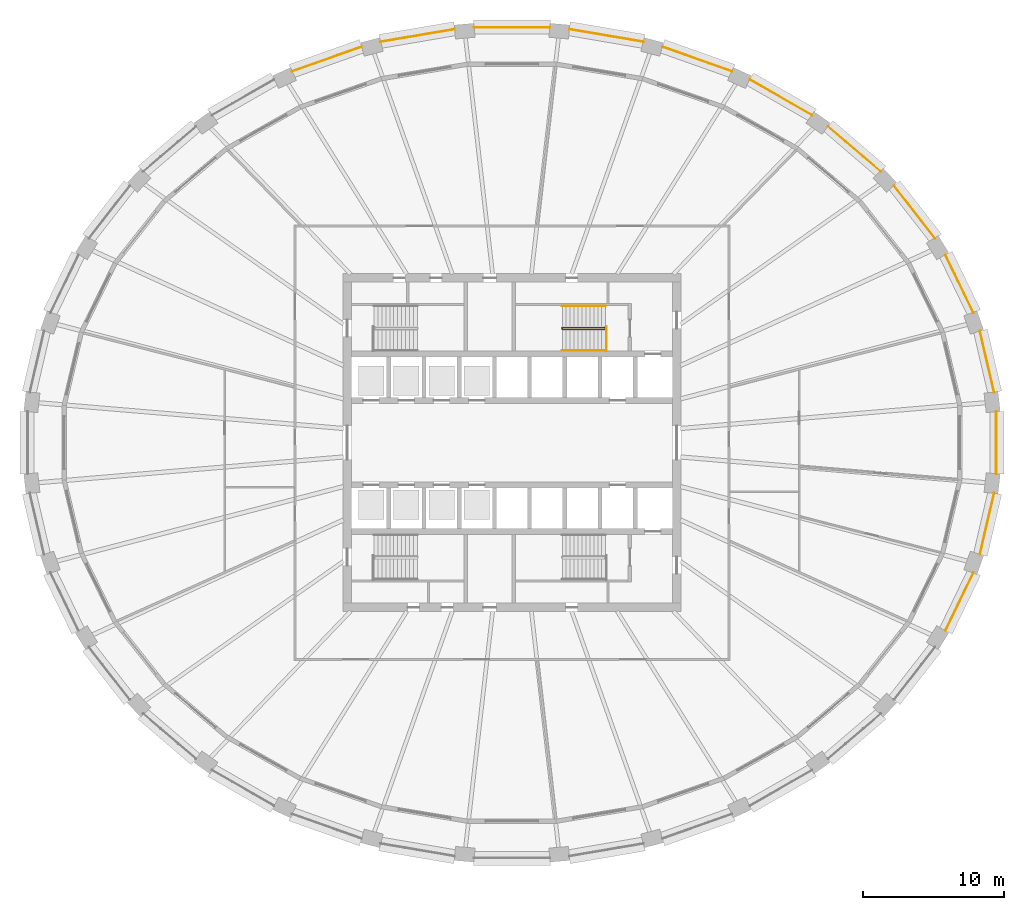
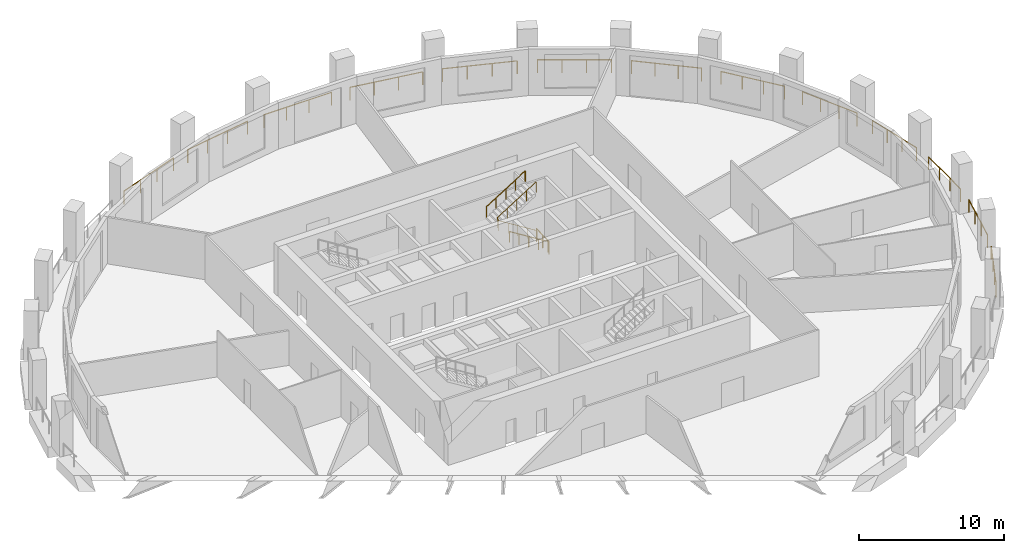
# One storey, part 9 of 10: 17 railings.
"""IFC4 building model written with IfcOpenShell, lengths in metres."""

import ifcopenshell
import ifcopenshell.guid

model = None  # the IFC model being written
_history = None  # IfcOwnerHistory: only IFC2X3 demands one
_inside = {}  # id of a spatial element -> (the spatial element, [elements in it])
_under = {}  # id of a project, library or spatial element -> (it, [spatial elements below it])
_declared = {}  # id of a project -> (the project, [libraries it declares])
_typed = {}  # id of a type object -> (the type object, [elements of that type])
_made_of = {}  # id of a material, layer set ... -> (it, [elements and type objects made of it])


def new_model(schema):
    """Start an empty IFC model of exactly this schema.

    Asked for "IFC4X3", IfcOpenShell would pick the latest addendum, in which some entities
    have other attributes; the version numbers below select the first issue.
    IFC2X3 requires an IfcOwnerHistory on every rooted entity: one is made here for all.
    """
    global model, _history
    if schema == "IFC4X3":
        model = ifcopenshell.file(schema_version=(4, 3, 0, 0))
    else:
        model = ifcopenshell.file(schema=schema)
    _inside.clear()
    _under.clear()
    _declared.clear()
    _typed.clear()
    _made_of.clear()
    _history = None
    if model.schema == "IFC2X3":
        org = make("IfcOrganization", Name="unknown")
        user = make(
            "IfcPersonAndOrganization",
            ThePerson=make("IfcPerson", FamilyName="unknown"),
            TheOrganization=org,
        )
        app = make(
            "IfcApplication",
            ApplicationDeveloper=org,
            Version="unknown",
            ApplicationFullName="unknown",
            ApplicationIdentifier="unknown",
        )
        _history = make(
            "IfcOwnerHistory",
            OwningUser=user,
            OwningApplication=app,
            ChangeAction="ADDED",
            CreationDate=0,
        )
    return model


def make(cls, **values):
    """One entity of the class cls with the attributes given. An attribute that is None is left unset."""
    return model.create_entity(
        cls, **{name: value for name, value in values.items() if value is not None}
    )


def rooted(cls, **values):
    """An entity with a GlobalId (a new one), such as an element, a storey or a relation."""
    return make(cls, GlobalId=ifcopenshell.guid.new(), OwnerHistory=_history, **values)


def si_unit(unit_type, name, prefix=None):
    """IfcSIUnit, for example si_unit("LENGTHUNIT", "METRE", prefix="MILLI")."""
    return make("IfcSIUnit", UnitType=unit_type, Prefix=prefix, Name=name)


def assignment(units):
    """IfcUnitAssignment: the units of a project."""
    return None if units is None else make("IfcUnitAssignment", Units=units)


def point(xyz):
    """IfcCartesianPoint."""
    return None if xyz is None else make("IfcCartesianPoint", Coordinates=xyz)


def direction(xyz):
    """IfcDirection."""
    return None if xyz is None else make("IfcDirection", DirectionRatios=xyz)


def frame(location, z_axis=None, x_axis=None):
    """IfcAxis2Placement3D, a coordinate frame: its origin and axes. An axis left out is left unset."""
    return make(
        "IfcAxis2Placement3D",
        Location=point(location),
        Axis=direction(z_axis),
        RefDirection=direction(x_axis),
    )


def frame_2d(location, x_axis=None):
    """IfcAxis2Placement2D, a coordinate frame in the plane: its origin and x axis."""
    return make(
        "IfcAxis2Placement2D", Location=point(location), RefDirection=direction(x_axis)
    )


def origin():
    """The frame at (0, 0, 0) with its axes left unset."""
    return frame((0.0, 0.0, 0.0))


def origin_2d():
    """The frame at (0, 0) in the plane with its x axis left unset."""
    return frame_2d((0.0, 0.0))


def place(relative_to, where):
    """IfcLocalPlacement: puts the frame where relative to a parent placement (None: the world)."""
    return make(
        "IfcLocalPlacement", PlacementRelTo=relative_to, RelativePlacement=where
    )


def context(
    kind, dimensions, precision=None, world=None, true_north=None, identifier=None
):
    """IfcGeometricRepresentationContext, for example the 3D "Model" context."""
    return make(
        "IfcGeometricRepresentationContext",
        ContextIdentifier=identifier,
        ContextType=kind,
        CoordinateSpaceDimension=dimensions,
        Precision=precision,
        WorldCoordinateSystem=world,
        TrueNorth=true_north,
    )


def subcontext(parent, identifier, kind, view, scale=None):
    """IfcGeometricRepresentationSubContext, for example "Body" below "Model"."""
    return make(
        "IfcGeometricRepresentationSubContext",
        ContextIdentifier=identifier,
        ContextType=kind,
        ParentContext=parent,
        TargetScale=scale,
        TargetView=view,
    )


def project(units=None, contexts=None):
    """IfcProject with its units and contexts."""
    return rooted(
        "IfcProject",
        Name="project",
        RepresentationContexts=contexts,
        UnitsInContext=assignment(units),
    )


def spatial(cls, under=None, at=None, **own):
    """A site, building, storey or space (cls), placed at a placement, below another one or the project."""
    s = rooted(cls, ObjectPlacement=at, **own)
    if under is not None:
        _under.setdefault(under.id(), (under, []))[1].append(s)
    return s


def profile(cls, at=None, kind="AREA", **sizes):
    """A parametric profile (cls). Its sizes go by their IFC names, for example OverallWidth=200.0."""
    return make(cls, ProfileType=kind, Position=at, **sizes)


def circle(**sizes):
    """IfcCircleProfileDef."""
    return profile("IfcCircleProfileDef", **sizes)


def extrude(swept, where, along, depth):
    """IfcExtrudedAreaSolid: the profile swept, set in the frame where, extruded along a direction by depth."""
    return make(
        "IfcExtrudedAreaSolid",
        SweptArea=swept,
        Position=where,
        ExtrudedDirection=direction(along),
        Depth=depth,
    )


def shape(context_of_items, identifier, shape_type, items):
    """IfcShapeRepresentation: the items that make up one representation, for example the "Body"."""
    return make(
        "IfcShapeRepresentation",
        ContextOfItems=context_of_items,
        RepresentationIdentifier=identifier,
        RepresentationType=shape_type,
        Items=items,
    )


def material(Name=None, Category=None):
    """IfcMaterial."""
    return make("IfcMaterial", Name=Name, Category=Category)


def made_of(thing, what):
    """Note that an element or type object is made of a material, layer set ...; save() writes the relation."""
    if what is not None:
        _made_of.setdefault(what.id(), (what, []))[1].append(thing)
    return thing


def type_object(cls, material=None, **own):
    """A type object (cls), such as IfcWallType, which elements share."""
    return made_of(rooted(cls, **own), material)


def element(
    cls,
    number,
    at=None,
    inside=None,
    cuts=None,
    type_object=None,
    material=None,
    context=None,
    identifier="Body",
    shape_type=None,
    held_by="IfcProductDefinitionShape",
    body=None,
    shapes=None,
    **own,
):
    """One element of the class cls, such as IfcWall. Its Tag is "e" and its number.

    at: its placement. inside: the storey or other place that contains it. cuts: it is an
    opening in that element (IfcRelVoidsElement). A single representation is given by context,
    identifier, shape_type and body (its items); several are given by shapes. held_by: the class
    of the entity that holds the representations. save() writes the other relations.
    """
    e = rooted(cls, Tag="e%d" % number, ObjectPlacement=at, **own)
    if body is not None:
        shapes = [shape(context, identifier, shape_type, body)]
    if shapes is not None:
        e.Representation = make(held_by, Representations=shapes)
    if inside is not None:
        _inside.setdefault(inside.id(), (inside, []))[1].append(e)
    if cuts is not None:
        rooted(
            "IfcRelVoidsElement", RelatingBuildingElement=cuts, RelatedOpeningElement=e
        )
    if type_object is not None:
        _typed.setdefault(type_object.id(), (type_object, []))[1].append(e)
    return made_of(e, material)


def aggregate(whole, parts):
    """IfcRelAggregates: a whole, such as a stair, and the parts it consists of."""
    return rooted("IfcRelAggregates", RelatingObject=whole, RelatedObjects=parts)


def save(model, path):
    """Write the relations noted so far, then the file.

    IfcRelAggregates (storeys below a building ...), IfcRelContainedInSpatialStructure (elements
    in a storey), IfcRelDefinesByType, IfcRelAssociatesMaterial and IfcRelDeclares: one each for
    every whole, place, type object, material and project.
    """
    for whole, parts in _under.values():
        aggregate(whole, parts)
    for where, things in _inside.values():
        rooted(
            "IfcRelContainedInSpatialStructure",
            RelatedElements=things,
            RelatingStructure=where,
        )
    for kind, things in _typed.values():
        rooted("IfcRelDefinesByType", RelatedObjects=things, RelatingType=kind)
    for what, things in _made_of.values():
        rooted("IfcRelAssociatesMaterial", RelatedObjects=things, RelatingMaterial=what)
    for by, libraries in _declared.values():
        rooted("IfcRelDeclares", RelatingContext=by, RelatedDefinitions=libraries)
    model.write(path)


model = new_model("IFC4")

# Units and contexts
model_context = context("Model", 3, precision=1e-05, world=origin(), true_north=direction((0.0, 1.0)))
body_context = subcontext(model_context, "Body", "Model", "MODEL_VIEW")
ifc_project = project(units=[si_unit("LENGTHUNIT", "METRE"), si_unit("AREAUNIT", "SQUARE_METRE"), si_unit("VOLUMEUNIT", "CUBIC_METRE"), si_unit("PLANEANGLEUNIT", "RADIAN"), si_unit("MASSUNIT", "GRAM", prefix="KILO")], contexts=[model_context])

# Site, building, storey
site_placement = place(None, origin())
site = spatial("IfcSite", under=ifc_project, at=site_placement, CompositionType="ELEMENT")
building_placement = place(site_placement, origin())
building = spatial("IfcBuilding", under=site, at=building_placement, Name="Halqa Exchange Tower", CompositionType="ELEMENT")
storey_placement = place(building_placement, frame((0.0, 0.0, 138.10009765625)))
storey = spatial("IfcBuildingStorey", under=building, at=storey_placement, Name="L31", CompositionType="ELEMENT", Elevation=138.10009765625)

# Railings
ifc_material = material(Name="Stainless steel", Category="steel")
railing_type_1 = type_object("IfcRailingType", Name="Guard 1100 stainless steel", PredefinedType="GUARDRAIL", material=ifc_material)
railing_1_placement = place(storey_placement, frame((34.23583984375, 3.58544921875, 0.0)))
element("IfcRailing", 1, at=railing_1_placement, inside=storey, type_object=railing_type_1, Name="Loggia guard 1", PredefinedType="GUARDRAIL", context=body_context, shape_type="SweptSolid", body=[
    extrude(circle(Radius=0.02392578125, at=origin_2d()), frame((0.0, 0.0, 1.076171875), z_axis=(-0.226030168713, 0.974120302032, 0.0), x_axis=(-0.974120302032, -0.226030168713, 0.0)), (0.0, 0.0, 1.0), 4.44677734375),
    extrude(circle(Radius=0.02099609375, at=origin_2d()), origin(), (0.0, 0.0, 1.0), 1.052001953125),
    extrude(circle(Radius=0.02099609375, at=origin_2d()), frame((-0.3349609375, 1.44384765625, 0.0)), (0.0, 0.0, 1.0), 1.052001953125),
    extrude(circle(Radius=0.02099609375, at=origin_2d()), frame((-0.670166015625, 2.887939453125, 0.0)), (0.0, 0.0, 1.0), 1.052001953125),
    extrude(circle(Radius=0.02099609375, at=origin_2d()), frame((-1.005126953125, 4.331787109375, 0.0)), (0.0, 0.0, 1.0), 1.052001953125),
])
railing_2_placement = place(storey_placement, frame((32.767578125, 9.2294921875, 0.0)))
element("IfcRailing", 2, at=railing_2_placement, inside=storey, type_object=railing_type_1, Name="Loggia guard 2", PredefinedType="GUARDRAIL", context=body_context, shape_type="SweptSolid", body=[
    extrude(circle(Radius=0.02392578125, at=origin_2d()), frame((0.0, 0.0, 1.076171875), z_axis=(-0.435090513409, 0.900386719772, 0.0), x_axis=(-0.900386719772, -0.435090513409, 0.0)), (0.0, 0.0, 1.0), 4.55859375),
    extrude(circle(Radius=0.02099609375, at=origin_2d()), origin(), (0.0, 0.0, 1.0), 1.052001953125),
    extrude(circle(Radius=0.02099609375, at=origin_2d()), frame((-0.6611328125, 1.3681640625, 0.0)), (0.0, 0.0, 1.0), 1.052001953125),
    extrude(circle(Radius=0.02099609375, at=origin_2d()), frame((-1.322265625, 2.736328125, 0.0)), (0.0, 0.0, 1.0), 1.052001953125),
    extrude(circle(Radius=0.02099609375, at=origin_2d()), frame((-1.9833984375, 4.1044921875, 0.0)), (0.0, 0.0, 1.0), 1.052001953125),
])
railing_3_placement = place(storey_placement, frame((30.04931640625, 14.516357421875, 0.0)))
element("IfcRailing", 3, at=railing_3_placement, inside=storey, type_object=railing_type_1, Name="Loggia guard 3", PredefinedType="GUARDRAIL", context=body_context, shape_type="SweptSolid", body=[
    extrude(circle(Radius=0.02392578125, at=origin_2d()), frame((0.0, 0.0, 1.076171875), z_axis=(-0.614809984835, 0.788675270658, 0.0), x_axis=(-0.788675270658, -0.614809984835, 0.0)), (0.0, 0.0, 1.0), 4.722412109375),
    extrude(circle(Radius=0.02099609375, at=origin_2d()), origin(), (0.0, 0.0, 1.0), 1.052001953125),
    extrude(circle(Radius=0.02099609375, at=origin_2d()), frame((-0.9677734375, 1.241455078125, 0.0)), (0.0, 0.0, 1.0), 1.052001953125),
    extrude(circle(Radius=0.02099609375, at=origin_2d()), frame((-1.935546875, 2.48291015625, 0.0)), (0.0, 0.0, 1.0), 1.052001953125),
    extrude(circle(Radius=0.02099609375, at=origin_2d()), frame((-2.9033203125, 3.724365234375, 0.0)), (0.0, 0.0, 1.0), 1.052001953125),
])
railing_4_placement = place(storey_placement, frame((26.18408203125, 19.248291015625, 0.0)))
element("IfcRailing", 4, at=railing_4_placement, inside=storey, type_object=railing_type_1, Name="Loggia guard 4", PredefinedType="GUARDRAIL", context=body_context, shape_type="SweptSolid", body=[
    extrude(circle(Radius=0.02392578125, at=origin_2d()), frame((0.0, 0.0, 1.076171875), z_axis=(-0.759228520652, 0.650824134025, 0.0), x_axis=(-0.650824134025, -0.759228520652, 0.0)), (0.0, 0.0, 1.0), 4.90966796875),
    extrude(circle(Radius=0.02099609375, at=origin_2d()), origin(), (0.0, 0.0, 1.0), 1.052001953125),
    extrude(circle(Radius=0.02099609375, at=origin_2d()), frame((-1.242431640625, 1.065185546875, 0.0)), (0.0, 0.0, 1.0), 1.052001953125),
    extrude(circle(Radius=0.02099609375, at=origin_2d()), frame((-2.485107421875, 2.130126953125, 0.0)), (0.0, 0.0, 1.0), 1.052001953125),
    extrude(circle(Radius=0.02099609375, at=origin_2d()), frame((-3.7275390625, 3.1953125, 0.0)), (0.0, 0.0, 1.0), 1.052001953125),
])
railing_5_placement = place(storey_placement, frame((21.3173828125, 23.2470703125, 0.0)))
element("IfcRailing", 5, at=railing_5_placement, inside=storey, type_object=railing_type_1, Name="Loggia guard 5", PredefinedType="GUARDRAIL", context=body_context, shape_type="SweptSolid", body=[
    extrude(circle(Radius=0.02392578125, at=origin_2d()), frame((0.0, 0.0, 1.076171875), z_axis=(-0.867749936093, 0.497001054738, 0.0), x_axis=(-0.497001054738, -0.867749936093, 0.0)), (0.0, 0.0, 1.0), 5.091552734375),
    extrude(circle(Radius=0.02099609375, at=origin_2d()), origin(), (0.0, 0.0, 1.0), 1.052001953125),
    extrude(circle(Radius=0.02099609375, at=origin_2d()), frame((-1.47265625, 0.843505859375, 0.0)), (0.0, 0.0, 1.0), 1.052001953125),
    extrude(circle(Radius=0.02099609375, at=origin_2d()), frame((-2.945556640625, 1.68701171875, 0.0)), (0.0, 0.0, 1.0), 1.052001953125),
    extrude(circle(Radius=0.02099609375, at=origin_2d()), frame((-4.418212890625, 2.530517578125, 0.0)), (0.0, 0.0, 1.0), 1.052001953125),
])
railing_6_placement = place(storey_placement, frame((15.632080078125, 26.359619140625, 0.0)))
element("IfcRailing", 6, at=railing_6_placement, inside=storey, type_object=railing_type_1, Name="Loggia guard 6", PredefinedType="GUARDRAIL", context=body_context, shape_type="SweptSolid", body=[
    extrude(circle(Radius=0.02392578125, at=origin_2d()), frame((0.0, 0.0, 1.076171875), z_axis=(-0.942366176872, 0.334583306051, 0.0), x_axis=(-0.334583306051, -0.942366176872, 0.0)), (0.0, 0.0, 1.0), 5.241943359375),
    extrude(circle(Radius=0.02099609375, at=origin_2d()), origin(), (0.0, 0.0, 1.0), 1.052001953125),
    extrude(circle(Radius=0.02099609375, at=origin_2d()), frame((-1.646728515625, 0.584716796875, 0.0)), (0.0, 0.0, 1.0), 1.052001953125),
    extrude(circle(Radius=0.02099609375, at=origin_2d()), frame((-3.293212890625, 1.169189453125, 0.0)), (0.0, 0.0, 1.0), 1.052001953125),
    extrude(circle(Radius=0.02099609375, at=origin_2d()), frame((-4.93994140625, 1.75390625, 0.0)), (0.0, 0.0, 1.0), 1.052001953125),
])
railing_7_placement = place(storey_placement, frame((9.34228515625, 28.46533203125, 0.0)))
element("IfcRailing", 7, at=railing_7_placement, inside=storey, type_object=railing_type_1, Name="Loggia guard 7", PredefinedType="GUARDRAIL", context=body_context, shape_type="SweptSolid", body=[
    extrude(circle(Radius=0.02392578125, at=origin_2d()), frame((0.0, 0.0, 1.076171875), z_axis=(-0.985771732872, 0.168089531709, 0.0), x_axis=(-0.168089531709, -0.985771732872, 0.0)), (0.0, 0.0, 1.0), 5.340576171875),
    extrude(circle(Radius=0.02099609375, at=origin_2d()), origin(), (0.0, 0.0, 1.0), 1.052001953125),
    extrude(circle(Radius=0.02099609375, at=origin_2d()), frame((-1.7548828125, 0.29931640625, 0.0)), (0.0, 0.0, 1.0), 1.052001953125),
    extrude(circle(Radius=0.02099609375, at=origin_2d()), frame((-3.509765625, 0.598388671875, 0.0)), (0.0, 0.0, 1.0), 1.052001953125),
    extrude(circle(Radius=0.02099609375, at=origin_2d()), frame((-5.2646484375, 0.897705078125, 0.0)), (0.0, 0.0, 1.0), 1.052001953125),
])
railing_8_placement = place(storey_placement, frame((2.6875, 29.480712890625, 0.0)))
element("IfcRailing", 8, at=railing_8_placement, inside=storey, type_object=railing_type_1, Name="Loggia guard 8", PredefinedType="GUARDRAIL", context=body_context, shape_type="SweptSolid", body=[
    extrude(circle(Radius=0.02392578125, at=origin_2d()), frame((0.0, 0.0, 1.076171875), z_axis=(-1.0, 0.0, 0.0), x_axis=(0.0, -1.0, 0.0)), (0.0, 0.0, 1.0), 5.375),
    extrude(circle(Radius=0.02099609375, at=origin_2d()), origin(), (0.0, 0.0, 1.0), 1.052001953125),
    extrude(circle(Radius=0.02099609375, at=origin_2d()), frame((-1.791748046875, 0.0, 0.0)), (0.0, 0.0, 1.0), 1.052001953125),
    extrude(circle(Radius=0.02099609375, at=origin_2d()), frame((-3.583251953125, 0.0, 0.0)), (0.0, 0.0, 1.0), 1.052001953125),
    extrude(circle(Radius=0.02099609375, at=origin_2d()), frame((-5.375, 0.0, 0.0)), (0.0, 0.0, 1.0), 1.052001953125),
])
railing_9_placement = place(storey_placement, frame((-4.07763671875, 29.363037109375, 0.0)))
element("IfcRailing", 9, at=railing_9_placement, inside=storey, type_object=railing_type_1, Name="Loggia guard 9", PredefinedType="GUARDRAIL", context=body_context, shape_type="SweptSolid", body=[
    extrude(circle(Radius=0.02392578125, at=origin_2d()), frame((0.0, 0.0, 1.076171875), z_axis=(-0.985771732872, -0.168089531709, 0.0), x_axis=(0.168089531709, -0.985771732872, 0.0)), (0.0, 0.0, 1.0), 5.340576171875),
    extrude(circle(Radius=0.02099609375, at=origin_2d()), origin(), (0.0, 0.0, 1.0), 1.052001953125),
    extrude(circle(Radius=0.02099609375, at=origin_2d()), frame((-1.7548828125, -0.29931640625, 0.0)), (0.0, 0.0, 1.0), 1.052001953125),
    extrude(circle(Radius=0.02099609375, at=origin_2d()), frame((-3.509765625, -0.598388671875, 0.0)), (0.0, 0.0, 1.0), 1.052001953125),
    extrude(circle(Radius=0.02099609375, at=origin_2d()), frame((-5.2646484375, -0.897705078125, 0.0)), (0.0, 0.0, 1.0), 1.052001953125),
])
railing_10_placement = place(storey_placement, frame((-10.692138671875, 28.113525390625, 0.0)))
element("IfcRailing", 10, at=railing_10_placement, inside=storey, type_object=railing_type_1, Name="Loggia guard 10", PredefinedType="GUARDRAIL", context=body_context, shape_type="SweptSolid", body=[
    extrude(circle(Radius=0.02392578125, at=origin_2d()), frame((0.0, 0.0, 1.076171875), z_axis=(-0.942366176872, -0.334583306051, 0.0), x_axis=(0.334583306051, -0.942366176872, 0.0)), (0.0, 0.0, 1.0), 5.241943359375),
    extrude(circle(Radius=0.02099609375, at=origin_2d()), origin(), (0.0, 0.0, 1.0), 1.052001953125),
    extrude(circle(Radius=0.02099609375, at=origin_2d()), frame((-1.646728515625, -0.584716796875, 0.0)), (0.0, 0.0, 1.0), 1.052001953125),
    extrude(circle(Radius=0.02099609375, at=origin_2d()), frame((-3.293212890625, -1.169189453125, 0.0)), (0.0, 0.0, 1.0), 1.052001953125),
    extrude(circle(Radius=0.02099609375, at=origin_2d()), frame((-4.93994140625, -1.75390625, 0.0)), (0.0, 0.0, 1.0), 1.052001953125),
])
railing_11_placement = place(storey_placement, frame((30.7841796875, -13.333984375, 0.0)))
element("IfcRailing", 11, at=railing_11_placement, inside=storey, type_object=railing_type_1, Name="Loggia guard 30", PredefinedType="GUARDRAIL", context=body_context, shape_type="SweptSolid", body=[
    extrude(circle(Radius=0.02392578125, at=origin_2d()), frame((0.0, 0.0, 1.076171875), z_axis=(0.435090513409, 0.900386719772, 0.0), x_axis=(-0.900386719772, 0.435090513409, 0.0)), (0.0, 0.0, 1.0), 4.55859375),
    extrude(circle(Radius=0.02099609375, at=origin_2d()), origin(), (0.0, 0.0, 1.0), 1.052001953125),
    extrude(circle(Radius=0.02099609375, at=origin_2d()), frame((0.6611328125, 1.3681640625, 0.0)), (0.0, 0.0, 1.0), 1.052001953125),
    extrude(circle(Radius=0.02099609375, at=origin_2d()), frame((1.322265625, 2.736328125, 0.0)), (0.0, 0.0, 1.0), 1.052001953125),
    extrude(circle(Radius=0.02099609375, at=origin_2d()), frame((1.9833984375, 4.1044921875, 0.0)), (0.0, 0.0, 1.0), 1.052001953125),
])
railing_12_placement = place(storey_placement, frame((33.230712890625, -7.917236328125, 0.0)))
element("IfcRailing", 12, at=railing_12_placement, inside=storey, type_object=railing_type_1, Name="Loggia guard 31", PredefinedType="GUARDRAIL", context=body_context, shape_type="SweptSolid", body=[
    extrude(circle(Radius=0.02392578125, at=origin_2d()), frame((0.0, 0.0, 1.076171875), z_axis=(0.226030168713, 0.974120302032, 0.0), x_axis=(-0.974120302032, 0.226030168713, 0.0)), (0.0, 0.0, 1.0), 4.44677734375),
    extrude(circle(Radius=0.02099609375, at=origin_2d()), origin(), (0.0, 0.0, 1.0), 1.052001953125),
    extrude(circle(Radius=0.02099609375, at=origin_2d()), frame((0.3349609375, 1.44384765625, 0.0)), (0.0, 0.0, 1.0), 1.052001953125),
    extrude(circle(Radius=0.02099609375, at=origin_2d()), frame((0.670166015625, 2.887939453125, 0.0)), (0.0, 0.0, 1.0), 1.052001953125),
    extrude(circle(Radius=0.02099609375, at=origin_2d()), frame((1.005126953125, 4.331787109375, 0.0)), (0.0, 0.0, 1.0), 1.052001953125),
])
railing_13_placement = place(storey_placement, frame((34.39404296875, -2.20361328125, 0.0)))
element("IfcRailing", 13, at=railing_13_placement, inside=storey, type_object=railing_type_1, Name="Loggia guard 32", PredefinedType="GUARDRAIL", context=body_context, shape_type="SweptSolid", body=[
    extrude(circle(Radius=0.02392578125, at=origin_2d()), frame((0.0, 0.0, 1.076171875), z_axis=(0.0, 1.0, 0.0), x_axis=(-1.0, 0.0, 0.0)), (0.0, 0.0, 1.0), 4.4072265625),
    extrude(circle(Radius=0.02099609375, at=origin_2d()), origin(), (0.0, 0.0, 1.0), 1.052001953125),
    extrude(circle(Radius=0.02099609375, at=origin_2d()), frame((0.0, 1.468994140625, 0.0)), (0.0, 0.0, 1.0), 1.052001953125),
    extrude(circle(Radius=0.02099609375, at=origin_2d()), frame((0.0, 2.938232421875, 0.0)), (0.0, 0.0, 1.0), 1.052001953125),
    extrude(circle(Radius=0.02099609375, at=origin_2d()), frame((0.0, 4.4072265625, 0.0)), (0.0, 0.0, 1.0), 1.052001953125),
])
railing_type_2 = type_object("IfcRailingType", Name="Stair handrail 900", PredefinedType="HANDRAIL", material=ifc_material)
railing_14_placement = place(storey_placement, frame((6.64990234375, 8.06005859375, 0.1748046875)))
element("IfcRailing", 14, at=railing_14_placement, inside=storey, type_object=railing_type_2, Name="Handrail ST2.1", PredefinedType="HANDRAIL", context=body_context, shape_type="SweptSolid", body=[
    extrude(circle(Radius=0.02392578125, at=origin_2d()), frame((0.0, 0.0, 0.8759765625), z_axis=(-0.847979421464, 0.0, 0.530029150871), x_axis=(0.0, -1.0, 0.0)), (0.0, 0.0, 1.0), 3.632080078125),
    extrude(circle(Radius=0.02392578125, at=origin_2d()), frame((-3.079833984375, 0.0, 2.80078125), z_axis=(0.0, 0.595870227118, 0.803080738428), x_axis=(-1.0, 0.0, 0.0)), (0.0, 0.0, 1.0), 0.218017578125),
    extrude(circle(Radius=0.02392578125, at=origin_2d()), frame((-3.079833984375, 0.1298828125, 2.97607421875), z_axis=(0.847979421464, 0.0, 0.530029150871), x_axis=(0.0, 1.0, 0.0)), (0.0, 0.0, 1.0), 3.632080078125),
    extrude(circle(Radius=0.02099609375, at=origin_2d()), origin(), (0.0, 0.0, 1.0), 0.851806640625),
    extrude(circle(Radius=0.02099609375, at=origin_2d()), frame((-0.77001953125, 0.0, 0.481201171875)), (0.0, 0.0, 1.0), 0.851806640625),
    extrude(circle(Radius=0.02099609375, at=origin_2d()), frame((-1.5400390625, 0.0, 0.96240234375)), (0.0, 0.0, 1.0), 0.851806640625),
    extrude(circle(Radius=0.02099609375, at=origin_2d()), frame((-2.309814453125, 0.0, 1.44384765625)), (0.0, 0.0, 1.0), 0.851806640625),
    extrude(circle(Radius=0.02099609375, at=origin_2d()), frame((-3.079833984375, 0.0, 1.925048828125)), (0.0, 0.0, 1.0), 0.851806640625),
    extrude(circle(Radius=0.02099609375, at=origin_2d()), frame((-3.079833984375, 0.1298828125, 2.10009765625)), (0.0, 0.0, 1.0), 0.851806640625),
    extrude(circle(Radius=0.02099609375, at=origin_2d()), frame((-2.309814453125, 0.1298828125, 2.581298828125)), (0.0, 0.0, 1.0), 0.851806640625),
    extrude(circle(Radius=0.02099609375, at=origin_2d()), frame((-1.5400390625, 0.1298828125, 3.0625)), (0.0, 0.0, 1.0), 0.851806640625),
    extrude(circle(Radius=0.02099609375, at=origin_2d()), frame((-0.77001953125, 0.1298828125, 3.5439453125)), (0.0, 0.0, 1.0), 0.851806640625),
    extrude(circle(Radius=0.02099609375, at=origin_2d()), frame((0.0, 0.1298828125, 4.025146484375)), (0.0, 0.0, 1.0), 0.851806640625),
])
railing_15_placement = place(storey_placement, frame((6.64990234375, 6.550048828125, 0.1748046875)))
element("IfcRailing", 15, at=railing_15_placement, inside=storey, type_object=railing_type_2, Name="Handrail ST2.2", PredefinedType="HANDRAIL", context=body_context, shape_type="SweptSolid", body=[
    extrude(circle(Radius=0.02392578125, at=origin_2d()), frame((0.0, 0.0, 0.8759765625), z_axis=(-0.847979421464, 0.0, 0.530029150871), x_axis=(0.0, -1.0, 0.0)), (0.0, 0.0, 1.0), 3.632080078125),
    extrude(circle(Radius=0.02099609375, at=origin_2d()), origin(), (0.0, 0.0, 1.0), 0.851806640625),
    extrude(circle(Radius=0.02099609375, at=origin_2d()), frame((-0.77001953125, 0.0, 0.481201171875)), (0.0, 0.0, 1.0), 0.851806640625),
    extrude(circle(Radius=0.02099609375, at=origin_2d()), frame((-1.5400390625, 0.0, 0.96240234375)), (0.0, 0.0, 1.0), 0.851806640625),
    extrude(circle(Radius=0.02099609375, at=origin_2d()), frame((-2.309814453125, 0.0, 1.44384765625)), (0.0, 0.0, 1.0), 0.851806640625),
    extrude(circle(Radius=0.02099609375, at=origin_2d()), frame((-3.079833984375, 0.0, 1.925048828125)), (0.0, 0.0, 1.0), 0.851806640625),
])
railing_16_placement = place(storey_placement, frame((3.570068359375, 9.699951171875, 2.27490234375)))
element("IfcRailing", 16, at=railing_16_placement, inside=storey, type_object=railing_type_2, Name="Handrail ST2.3", PredefinedType="HANDRAIL", context=body_context, shape_type="SweptSolid", body=[
    extrude(circle(Radius=0.02392578125, at=origin_2d()), frame((0.0, 0.0, 0.8759765625), z_axis=(0.847979421464, 0.0, 0.530029150871), x_axis=(0.0, 1.0, 0.0)), (0.0, 0.0, 1.0), 3.632080078125),
    extrude(circle(Radius=0.02099609375, at=origin_2d()), origin(), (0.0, 0.0, 1.0), 0.851806640625),
    extrude(circle(Radius=0.02099609375, at=origin_2d()), frame((0.77001953125, 0.0, 0.481201171875)), (0.0, 0.0, 1.0), 0.851806640625),
    extrude(circle(Radius=0.02099609375, at=origin_2d()), frame((1.5400390625, 0.0, 0.96240234375)), (0.0, 0.0, 1.0), 0.851806640625),
    extrude(circle(Radius=0.02099609375, at=origin_2d()), frame((2.309814453125, 0.0, 1.44384765625)), (0.0, 0.0, 1.0), 0.851806640625),
    extrude(circle(Radius=0.02099609375, at=origin_2d()), frame((3.079833984375, 0.0, 1.925048828125)), (0.0, 0.0, 1.0), 0.851806640625),
])
railing_type_3 = type_object("IfcRailingType", Name="Stair well guard 1100", PredefinedType="GUARDRAIL", material=ifc_material)
railing_17_placement = place(storey_placement, frame((6.699951171875, 6.5, 0.0)))
element("IfcRailing", 17, at=railing_17_placement, inside=storey, type_object=railing_type_3, Name="Guard ST2 well", PredefinedType="GUARDRAIL", context=body_context, shape_type="SweptSolid", body=[
    extrude(circle(Radius=0.02392578125, at=origin_2d()), frame((0.0, 0.0, 1.076171875), z_axis=(0.0, 1.0, 0.0), x_axis=(-1.0, 0.0, 0.0)), (0.0, 0.0, 1.0), 1.75),
    extrude(circle(Radius=0.02099609375, at=origin_2d()), origin(), (0.0, 0.0, 1.0), 1.052001953125),
    extrude(circle(Radius=0.02099609375, at=origin_2d()), frame((0.0, 0.875, 0.0)), (0.0, 0.0, 1.0), 1.052001953125),
    extrude(circle(Radius=0.02099609375, at=origin_2d()), frame((0.0, 1.75, 0.0)), (0.0, 0.0, 1.0), 1.052001953125),
])

save(model, "model.ifc")
